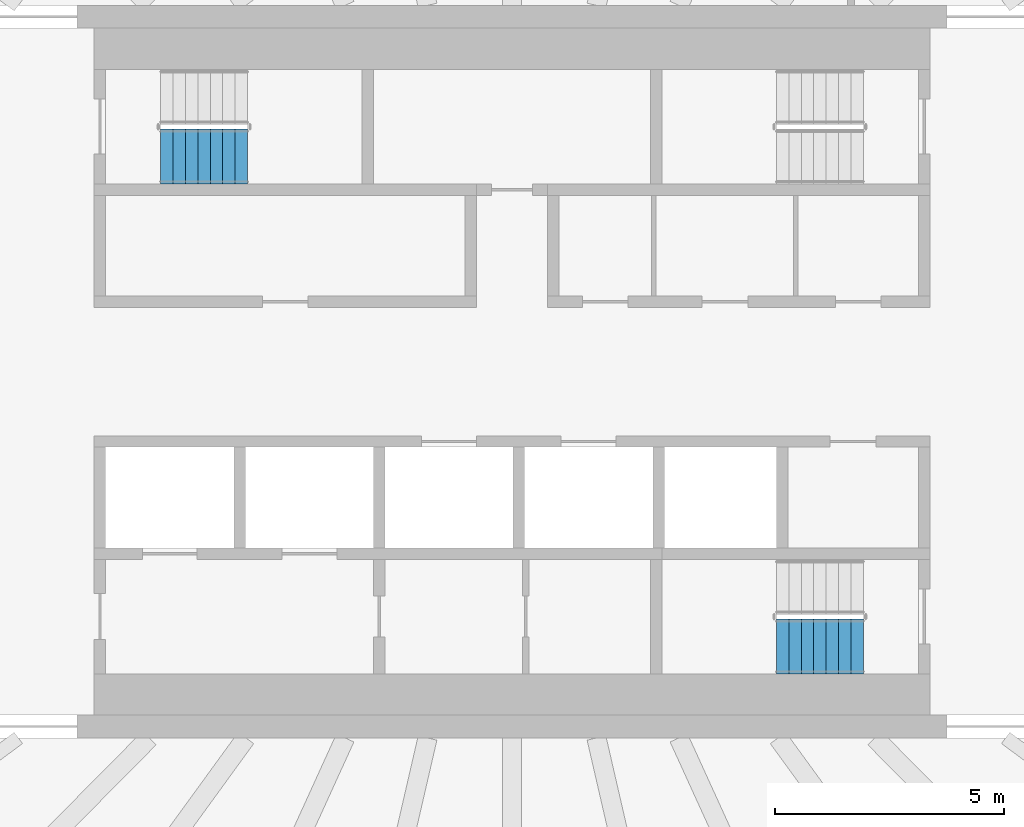
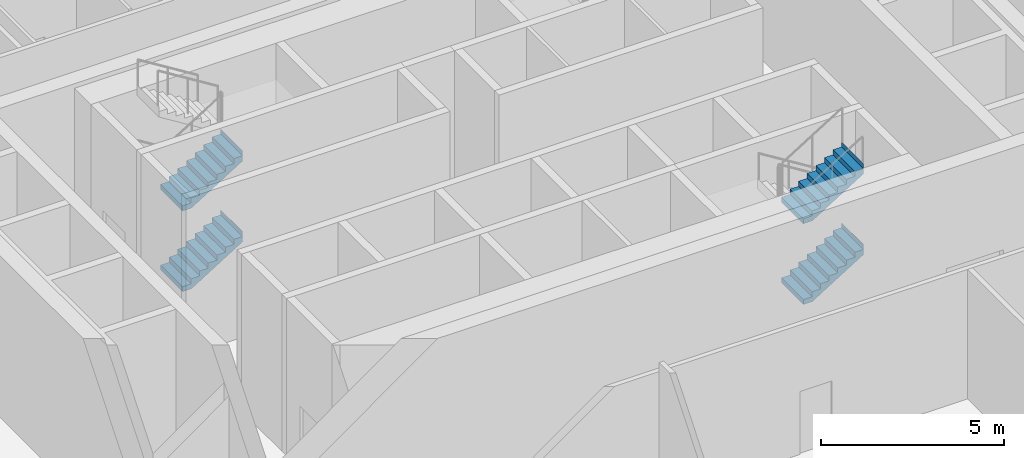
# One storey, part 9 of 18: 4 stair flights, 2 elements without a shape of their own.
"""IFC4 building model written with IfcOpenShell, lengths in metres."""

from ifc_helpers import new_model, si_unit, direction, frame, origin, place, context, subcontext, project, spatial, triangles, material, type_object, element, aggregate, save


model = new_model("IFC4")

# Units and contexts
model_context = context("Model", 3, precision=1e-05, world=origin(), true_north=direction((0.0, 1.0)))
body_context = subcontext(model_context, "Body", "Model", "MODEL_VIEW")
ifc_project = project(units=[si_unit("LENGTHUNIT", "METRE"), si_unit("AREAUNIT", "SQUARE_METRE"), si_unit("VOLUMEUNIT", "CUBIC_METRE"), si_unit("PLANEANGLEUNIT", "RADIAN"), si_unit("MASSUNIT", "GRAM", prefix="KILO")], contexts=[model_context])

# Site, building, storey
site_placement = place(None, origin())
site = spatial("IfcSite", under=ifc_project, at=site_placement, CompositionType="ELEMENT")
building_placement = place(site_placement, origin())
building = spatial("IfcBuilding", under=site, at=building_placement, Name="Sahrelin Media Tower", CompositionType="ELEMENT")
storey_placement = place(building_placement, frame((0.0, 0.0, 148.199951171875)))
storey = spatial("IfcBuildingStorey", under=building, at=storey_placement, Name="L30", CompositionType="ELEMENT", Elevation=148.199951171875)

# Stair, stair flights
ifc_material = material(Name="Concrete C40/50", Category="concrete")
stair_type = type_object("IfcStairType", Name="Exit stair 1200", PredefinedType="HALF_TURN_STAIR", material=ifc_material)
placement = place(storey_placement, origin())
stair_1 = element("IfcStair", 1, at=placement, inside=storey, type_object=stair_type, Name="L30 Exit stair ST1", PredefinedType="HALF_TURN_STAIR")
stair_flight_type = type_object("IfcStairFlightType", Name="Stair flight 1200", PredefinedType="STRAIGHT", material=ifc_material)
stair_flight_1_placement = place(storey_placement, frame((-7.675048828125, 4.699951171875, 0.0), z_axis=(0.0, 0.0, 1.0), x_axis=(1.0, 0.0, 0.0)))
stair_flight_1 = element("IfcStairFlight", 2, at=stair_flight_1_placement, type_object=stair_flight_type, Name="ST1 flight 1", NumberOfRisers=8, NumberOfTreads=7, PredefinedType="STRAIGHT", RiserHeight=0.16875, TreadLength=0.271428571, context=body_context, shape_type="Tessellation", body=[
    triangles([(0.283935546875, 0.60009765625, 0.0), (0.283935546875, 0.300048828125, 0.0), (0.283935546875, 0.0, 0.0), (0.283935546875, -0.300048828125, 0.0), (0.283935546875, -0.60009765625, 0.0), (1.89990234375, 0.60009765625, 1.004638671875), (1.89990234375, 0.300048828125, 1.004638671875), (1.89990234375, 0.0, 1.004638671875), (1.89990234375, -0.300048828125, 1.004638671875), (1.89990234375, -0.60009765625, 1.004638671875), (1.89990234375, 0.60009765625, 1.35009765625), (1.89990234375, 0.300048828125, 1.35009765625), (1.89990234375, 0.0, 1.35009765625), (1.89990234375, -0.300048828125, 1.35009765625), (1.89990234375, -0.60009765625, 1.35009765625), (1.89794921875, 0.60009765625, 1.35009765625), (1.89794921875, 0.300048828125, 1.35009765625), (1.89794921875, 0.0, 1.35009765625), (1.89794921875, -0.300048828125, 1.35009765625), (1.89794921875, -0.60009765625, 1.35009765625), (1.89794921875, 0.60009765625, 1.18115234375), (1.89794921875, 0.300048828125, 1.18115234375), (1.89794921875, 0.0, 1.18115234375), (1.89794921875, -0.300048828125, 1.18115234375), (1.89794921875, -0.60009765625, 1.18115234375), (1.628662109375, 0.60009765625, 1.18115234375), (1.628662109375, 0.300048828125, 1.18115234375), (1.628662109375, 0.0, 1.18115234375), (1.628662109375, -0.300048828125, 1.18115234375), (1.628662109375, -0.60009765625, 1.18115234375), (1.628662109375, 0.60009765625, 1.012451171875), (1.628662109375, 0.300048828125, 1.012451171875), (1.628662109375, 0.0, 1.012451171875), (1.628662109375, -0.300048828125, 1.012451171875), (1.628662109375, -0.60009765625, 1.012451171875), (1.357177734375, 0.60009765625, 1.012451171875), (1.357177734375, 0.300048828125, 1.012451171875), (1.357177734375, 0.0, 1.012451171875), (1.357177734375, -0.300048828125, 1.012451171875), (1.357177734375, -0.60009765625, 1.012451171875), (1.357177734375, 0.60009765625, 0.84375), (1.357177734375, 0.300048828125, 0.84375), (1.357177734375, 0.0, 0.84375), (1.357177734375, -0.300048828125, 0.84375), (1.357177734375, -0.60009765625, 0.84375), (1.085693359375, 0.60009765625, 0.84375), (1.085693359375, 0.300048828125, 0.84375), (1.085693359375, 0.0, 0.84375), (1.085693359375, -0.300048828125, 0.84375), (1.085693359375, -0.60009765625, 0.84375), (1.085693359375, 0.60009765625, 0.675048828125), (1.085693359375, 0.300048828125, 0.675048828125), (1.085693359375, 0.0, 0.675048828125), (1.085693359375, -0.300048828125, 0.675048828125), (1.085693359375, -0.60009765625, 0.675048828125), (0.814208984375, 0.60009765625, 0.675048828125), (0.814208984375, 0.300048828125, 0.675048828125), (0.814208984375, 0.0, 0.675048828125), (0.814208984375, -0.300048828125, 0.675048828125), (0.814208984375, -0.60009765625, 0.675048828125), (0.814208984375, 0.60009765625, 0.50634765625), (0.814208984375, 0.300048828125, 0.50634765625), (0.814208984375, 0.0, 0.50634765625), (0.814208984375, -0.300048828125, 0.50634765625), (0.814208984375, -0.60009765625, 0.50634765625), (0.54296875, 0.60009765625, 0.50634765625), (0.54296875, 0.300048828125, 0.50634765625), (0.54296875, 0.0, 0.50634765625), (0.54296875, -0.300048828125, 0.50634765625), (0.54296875, -0.60009765625, 0.50634765625), (0.54296875, 0.60009765625, 0.33740234375), (0.54296875, 0.300048828125, 0.33740234375), (0.54296875, 0.0, 0.33740234375), (0.54296875, -0.300048828125, 0.33740234375), (0.54296875, -0.60009765625, 0.33740234375), (0.271484375, 0.60009765625, 0.33740234375), (0.271484375, 0.300048828125, 0.33740234375), (0.271484375, 0.0, 0.33740234375), (0.271484375, -0.300048828125, 0.33740234375), (0.271484375, -0.60009765625, 0.33740234375), (0.271484375, 0.60009765625, 0.168701171875), (0.271484375, 0.300048828125, 0.168701171875), (0.271484375, 0.0, 0.168701171875), (0.271484375, -0.300048828125, 0.168701171875), (0.271484375, -0.60009765625, 0.168701171875), (0.0, 0.60009765625, 0.168701171875), (0.0, 0.300048828125, 0.168701171875), (0.0, 0.0, 0.168701171875), (0.0, -0.300048828125, 0.168701171875), (0.0, -0.60009765625, 0.168701171875), (0.0, 0.60009765625, 0.0), (0.0, 0.300048828125, 0.0), (0.0, 0.0, 0.0), (0.0, -0.300048828125, 0.0), (0.0, -0.60009765625, 0.0)], [[1, 6, 7], [1, 7, 2], [2, 7, 8], [2, 8, 3], [3, 8, 9], [3, 9, 4], [4, 9, 10], [4, 10, 5], [6, 11, 12], [6, 12, 7], [7, 12, 13], [7, 13, 8], [8, 13, 14], [8, 14, 9], [9, 14, 15], [9, 15, 10], [11, 16, 17], [11, 17, 12], [12, 17, 18], [12, 18, 13], [13, 18, 19], [13, 19, 14], [14, 19, 20], [14, 20, 15], [16, 21, 22], [16, 22, 17], [17, 22, 23], [17, 23, 18], [18, 23, 24], [18, 24, 19], [19, 24, 25], [19, 25, 20], [21, 26, 27], [21, 27, 22], [22, 27, 28], [22, 28, 23], [23, 28, 29], [23, 29, 24], [24, 29, 30], [24, 30, 25], [26, 31, 32], [26, 32, 27], [27, 32, 33], [27, 33, 28], [28, 33, 34], [28, 34, 29], [29, 34, 35], [29, 35, 30], [31, 36, 37], [31, 37, 32], [32, 37, 38], [32, 38, 33], [33, 38, 39], [33, 39, 34], [34, 39, 40], [34, 40, 35], [36, 41, 42], [36, 42, 37], [37, 42, 43], [37, 43, 38], [38, 43, 44], [38, 44, 39], [39, 44, 45], [39, 45, 40], [41, 46, 47], [41, 47, 42], [42, 47, 48], [42, 48, 43], [43, 48, 49], [43, 49, 44], [44, 49, 50], [44, 50, 45], [46, 51, 52], [46, 52, 47], [47, 52, 53], [47, 53, 48], [48, 53, 54], [48, 54, 49], [49, 54, 55], [49, 55, 50], [51, 56, 57], [51, 57, 52], [52, 57, 58], [52, 58, 53], [53, 58, 59], [53, 59, 54], [54, 59, 60], [54, 60, 55], [56, 61, 62], [56, 62, 57], [57, 62, 63], [57, 63, 58], [58, 63, 64], [58, 64, 59], [59, 64, 65], [59, 65, 60], [61, 66, 67], [61, 67, 62], [62, 67, 68], [62, 68, 63], [63, 68, 69], [63, 69, 64], [64, 69, 70], [64, 70, 65], [66, 71, 72], [66, 72, 67], [67, 72, 73], [67, 73, 68], [68, 73, 74], [68, 74, 69], [69, 74, 75], [69, 75, 70], [71, 76, 77], [71, 77, 72], [72, 77, 78], [72, 78, 73], [73, 78, 79], [73, 79, 74], [74, 79, 80], [74, 80, 75], [76, 81, 82], [76, 82, 77], [77, 82, 83], [77, 83, 78], [78, 83, 84], [78, 84, 79], [79, 84, 85], [79, 85, 80], [81, 86, 87], [81, 87, 82], [82, 87, 88], [82, 88, 83], [83, 88, 89], [83, 89, 84], [84, 89, 90], [84, 90, 85], [86, 91, 92], [86, 92, 87], [87, 92, 93], [87, 93, 88], [88, 93, 94], [88, 94, 89], [89, 94, 95], [89, 95, 90], [91, 1, 2], [91, 2, 92], [92, 2, 3], [92, 3, 93], [93, 3, 4], [93, 4, 94], [94, 4, 5], [94, 5, 95], [85, 90, 95], [81, 91, 86], [85, 75, 80], [81, 76, 71], [75, 65, 70], [71, 66, 61], [65, 55, 60], [61, 56, 51], [55, 45, 50], [51, 46, 41], [45, 35, 40], [41, 36, 31], [35, 25, 30], [31, 26, 21], [25, 15, 20], [21, 16, 11], [95, 5, 85], [91, 81, 1], [5, 55, 65], [1, 61, 51], [25, 10, 15], [21, 11, 6], [75, 85, 5], [71, 1, 81], [10, 45, 55], [6, 51, 41], [35, 10, 25], [31, 21, 6], [65, 75, 5], [61, 1, 71], [45, 10, 35], [41, 31, 6], [5, 10, 55], [1, 51, 6]], closed=True),
])
stair_flight_2_placement = place(storey_placement, frame((-7.675048828125, 4.699951171875, 2.699951171875), z_axis=(0.0, 0.0, 1.0), x_axis=(1.0, 0.0, 0.0)))
stair_flight_2 = element("IfcStairFlight", 3, at=stair_flight_2_placement, type_object=stair_flight_type, Name="ST1 flight 3", NumberOfRisers=8, NumberOfTreads=7, PredefinedType="STRAIGHT", RiserHeight=0.16875, TreadLength=0.271428571, context=body_context, shape_type="Tessellation", body=[
    triangles([(0.283935546875, 0.60009765625, 0.0), (0.283935546875, 0.300048828125, 0.0), (0.283935546875, 0.0, 0.0), (0.283935546875, -0.300048828125, 0.0), (0.283935546875, -0.60009765625, 0.0), (1.89990234375, 0.60009765625, 1.004638671875), (1.89990234375, 0.300048828125, 1.004638671875), (1.89990234375, 0.0, 1.004638671875), (1.89990234375, -0.300048828125, 1.004638671875), (1.89990234375, -0.60009765625, 1.004638671875), (1.89990234375, 0.60009765625, 1.35009765625), (1.89990234375, 0.300048828125, 1.35009765625), (1.89990234375, 0.0, 1.35009765625), (1.89990234375, -0.300048828125, 1.35009765625), (1.89990234375, -0.60009765625, 1.35009765625), (1.89794921875, 0.60009765625, 1.35009765625), (1.89794921875, 0.300048828125, 1.35009765625), (1.89794921875, 0.0, 1.35009765625), (1.89794921875, -0.300048828125, 1.35009765625), (1.89794921875, -0.60009765625, 1.35009765625), (1.89794921875, 0.60009765625, 1.18115234375), (1.89794921875, 0.300048828125, 1.18115234375), (1.89794921875, 0.0, 1.18115234375), (1.89794921875, -0.300048828125, 1.18115234375), (1.89794921875, -0.60009765625, 1.18115234375), (1.628662109375, 0.60009765625, 1.18115234375), (1.628662109375, 0.300048828125, 1.18115234375), (1.628662109375, 0.0, 1.18115234375), (1.628662109375, -0.300048828125, 1.18115234375), (1.628662109375, -0.60009765625, 1.18115234375), (1.628662109375, 0.60009765625, 1.012451171875), (1.628662109375, 0.300048828125, 1.012451171875), (1.628662109375, 0.0, 1.012451171875), (1.628662109375, -0.300048828125, 1.012451171875), (1.628662109375, -0.60009765625, 1.012451171875), (1.357177734375, 0.60009765625, 1.012451171875), (1.357177734375, 0.300048828125, 1.012451171875), (1.357177734375, 0.0, 1.012451171875), (1.357177734375, -0.300048828125, 1.012451171875), (1.357177734375, -0.60009765625, 1.012451171875), (1.357177734375, 0.60009765625, 0.84375), (1.357177734375, 0.300048828125, 0.84375), (1.357177734375, 0.0, 0.84375), (1.357177734375, -0.300048828125, 0.84375), (1.357177734375, -0.60009765625, 0.84375), (1.085693359375, 0.60009765625, 0.84375), (1.085693359375, 0.300048828125, 0.84375), (1.085693359375, 0.0, 0.84375), (1.085693359375, -0.300048828125, 0.84375), (1.085693359375, -0.60009765625, 0.84375), (1.085693359375, 0.60009765625, 0.675048828125), (1.085693359375, 0.300048828125, 0.675048828125), (1.085693359375, 0.0, 0.675048828125), (1.085693359375, -0.300048828125, 0.675048828125), (1.085693359375, -0.60009765625, 0.675048828125), (0.814208984375, 0.60009765625, 0.675048828125), (0.814208984375, 0.300048828125, 0.675048828125), (0.814208984375, 0.0, 0.675048828125), (0.814208984375, -0.300048828125, 0.675048828125), (0.814208984375, -0.60009765625, 0.675048828125), (0.814208984375, 0.60009765625, 0.50634765625), (0.814208984375, 0.300048828125, 0.50634765625), (0.814208984375, 0.0, 0.50634765625), (0.814208984375, -0.300048828125, 0.50634765625), (0.814208984375, -0.60009765625, 0.50634765625), (0.54296875, 0.60009765625, 0.50634765625), (0.54296875, 0.300048828125, 0.50634765625), (0.54296875, 0.0, 0.50634765625), (0.54296875, -0.300048828125, 0.50634765625), (0.54296875, -0.60009765625, 0.50634765625), (0.54296875, 0.60009765625, 0.33740234375), (0.54296875, 0.300048828125, 0.33740234375), (0.54296875, 0.0, 0.33740234375), (0.54296875, -0.300048828125, 0.33740234375), (0.54296875, -0.60009765625, 0.33740234375), (0.271484375, 0.60009765625, 0.33740234375), (0.271484375, 0.300048828125, 0.33740234375), (0.271484375, 0.0, 0.33740234375), (0.271484375, -0.300048828125, 0.33740234375), (0.271484375, -0.60009765625, 0.33740234375), (0.271484375, 0.60009765625, 0.168701171875), (0.271484375, 0.300048828125, 0.168701171875), (0.271484375, 0.0, 0.168701171875), (0.271484375, -0.300048828125, 0.168701171875), (0.271484375, -0.60009765625, 0.168701171875), (0.0, 0.60009765625, 0.168701171875), (0.0, 0.300048828125, 0.168701171875), (0.0, 0.0, 0.168701171875), (0.0, -0.300048828125, 0.168701171875), (0.0, -0.60009765625, 0.168701171875), (0.0, 0.60009765625, 0.0), (0.0, 0.300048828125, 0.0), (0.0, 0.0, 0.0), (0.0, -0.300048828125, 0.0), (0.0, -0.60009765625, 0.0)], [[1, 6, 7], [1, 7, 2], [2, 7, 8], [2, 8, 3], [3, 8, 9], [3, 9, 4], [4, 9, 10], [4, 10, 5], [6, 11, 12], [6, 12, 7], [7, 12, 13], [7, 13, 8], [8, 13, 14], [8, 14, 9], [9, 14, 15], [9, 15, 10], [11, 16, 17], [11, 17, 12], [12, 17, 18], [12, 18, 13], [13, 18, 19], [13, 19, 14], [14, 19, 20], [14, 20, 15], [16, 21, 22], [16, 22, 17], [17, 22, 23], [17, 23, 18], [18, 23, 24], [18, 24, 19], [19, 24, 25], [19, 25, 20], [21, 26, 27], [21, 27, 22], [22, 27, 28], [22, 28, 23], [23, 28, 29], [23, 29, 24], [24, 29, 30], [24, 30, 25], [26, 31, 32], [26, 32, 27], [27, 32, 33], [27, 33, 28], [28, 33, 34], [28, 34, 29], [29, 34, 35], [29, 35, 30], [31, 36, 37], [31, 37, 32], [32, 37, 38], [32, 38, 33], [33, 38, 39], [33, 39, 34], [34, 39, 40], [34, 40, 35], [36, 41, 42], [36, 42, 37], [37, 42, 43], [37, 43, 38], [38, 43, 44], [38, 44, 39], [39, 44, 45], [39, 45, 40], [41, 46, 47], [41, 47, 42], [42, 47, 48], [42, 48, 43], [43, 48, 49], [43, 49, 44], [44, 49, 50], [44, 50, 45], [46, 51, 52], [46, 52, 47], [47, 52, 53], [47, 53, 48], [48, 53, 54], [48, 54, 49], [49, 54, 55], [49, 55, 50], [51, 56, 57], [51, 57, 52], [52, 57, 58], [52, 58, 53], [53, 58, 59], [53, 59, 54], [54, 59, 60], [54, 60, 55], [56, 61, 62], [56, 62, 57], [57, 62, 63], [57, 63, 58], [58, 63, 64], [58, 64, 59], [59, 64, 65], [59, 65, 60], [61, 66, 67], [61, 67, 62], [62, 67, 68], [62, 68, 63], [63, 68, 69], [63, 69, 64], [64, 69, 70], [64, 70, 65], [66, 71, 72], [66, 72, 67], [67, 72, 73], [67, 73, 68], [68, 73, 74], [68, 74, 69], [69, 74, 75], [69, 75, 70], [71, 76, 77], [71, 77, 72], [72, 77, 78], [72, 78, 73], [73, 78, 79], [73, 79, 74], [74, 79, 80], [74, 80, 75], [76, 81, 82], [76, 82, 77], [77, 82, 83], [77, 83, 78], [78, 83, 84], [78, 84, 79], [79, 84, 85], [79, 85, 80], [81, 86, 87], [81, 87, 82], [82, 87, 88], [82, 88, 83], [83, 88, 89], [83, 89, 84], [84, 89, 90], [84, 90, 85], [86, 91, 92], [86, 92, 87], [87, 92, 93], [87, 93, 88], [88, 93, 94], [88, 94, 89], [89, 94, 95], [89, 95, 90], [91, 1, 2], [91, 2, 92], [92, 2, 3], [92, 3, 93], [93, 3, 4], [93, 4, 94], [94, 4, 5], [94, 5, 95], [85, 90, 95], [81, 91, 86], [85, 75, 80], [81, 76, 71], [75, 65, 70], [71, 66, 61], [65, 55, 60], [61, 56, 51], [55, 45, 50], [51, 46, 41], [45, 35, 40], [41, 36, 31], [35, 25, 30], [31, 26, 21], [25, 15, 20], [21, 16, 11], [95, 5, 85], [91, 81, 1], [5, 55, 65], [1, 61, 51], [25, 10, 15], [21, 11, 6], [75, 85, 5], [71, 1, 81], [10, 45, 55], [6, 51, 41], [35, 10, 25], [31, 21, 6], [65, 75, 5], [61, 1, 71], [45, 10, 35], [41, 31, 6], [5, 10, 55], [1, 51, 6]], closed=True),
])
aggregate(stair_1, [stair_flight_1, stair_flight_2])

stair_2 = element("IfcStair", 4, at=placement, inside=storey, type_object=stair_type, Name="L30 Exit stair ST2", PredefinedType="HALF_TURN_STAIR")
stair_flight_3_placement = place(storey_placement, frame((5.77490234375, -6.0, 1.35009765625), z_axis=(0.0, 0.0, 1.0), x_axis=(1.0, 0.0, 0.0)))
stair_flight_3 = element("IfcStairFlight", 5, at=stair_flight_3_placement, type_object=stair_flight_type, Name="ST2 flight 2", NumberOfRisers=8, NumberOfTreads=7, PredefinedType="STRAIGHT", RiserHeight=0.16875, TreadLength=0.271428571, context=body_context, shape_type="Tessellation", body=[
    triangles([(0.283935546875, 0.60009765625, 0.0), (0.283935546875, 0.300048828125, 0.0), (0.283935546875, 0.0, 0.0), (0.283935546875, -0.300048828125, 0.0), (0.283935546875, -0.60009765625, 0.0), (1.89990234375, 0.60009765625, 1.004638671875), (1.89990234375, 0.300048828125, 1.004638671875), (1.89990234375, 0.0, 1.004638671875), (1.89990234375, -0.300048828125, 1.004638671875), (1.89990234375, -0.60009765625, 1.004638671875), (1.89990234375, 0.60009765625, 1.35009765625), (1.89990234375, 0.300048828125, 1.35009765625), (1.89990234375, 0.0, 1.35009765625), (1.89990234375, -0.300048828125, 1.35009765625), (1.89990234375, -0.60009765625, 1.35009765625), (1.89794921875, 0.60009765625, 1.35009765625), (1.89794921875, 0.300048828125, 1.35009765625), (1.89794921875, 0.0, 1.35009765625), (1.89794921875, -0.300048828125, 1.35009765625), (1.89794921875, -0.60009765625, 1.35009765625), (1.89794921875, 0.60009765625, 1.18115234375), (1.89794921875, 0.300048828125, 1.18115234375), (1.89794921875, 0.0, 1.18115234375), (1.89794921875, -0.300048828125, 1.18115234375), (1.89794921875, -0.60009765625, 1.18115234375), (1.628662109375, 0.60009765625, 1.18115234375), (1.628662109375, 0.300048828125, 1.18115234375), (1.628662109375, 0.0, 1.18115234375), (1.628662109375, -0.300048828125, 1.18115234375), (1.628662109375, -0.60009765625, 1.18115234375), (1.628662109375, 0.60009765625, 1.012451171875), (1.628662109375, 0.300048828125, 1.012451171875), (1.628662109375, 0.0, 1.012451171875), (1.628662109375, -0.300048828125, 1.012451171875), (1.628662109375, -0.60009765625, 1.012451171875), (1.357177734375, 0.60009765625, 1.012451171875), (1.357177734375, 0.300048828125, 1.012451171875), (1.357177734375, 0.0, 1.012451171875), (1.357177734375, -0.300048828125, 1.012451171875), (1.357177734375, -0.60009765625, 1.012451171875), (1.357177734375, 0.60009765625, 0.84375), (1.357177734375, 0.300048828125, 0.84375), (1.357177734375, 0.0, 0.84375), (1.357177734375, -0.300048828125, 0.84375), (1.357177734375, -0.60009765625, 0.84375), (1.085693359375, 0.60009765625, 0.84375), (1.085693359375, 0.300048828125, 0.84375), (1.085693359375, 0.0, 0.84375), (1.085693359375, -0.300048828125, 0.84375), (1.085693359375, -0.60009765625, 0.84375), (1.085693359375, 0.60009765625, 0.675048828125), (1.085693359375, 0.300048828125, 0.675048828125), (1.085693359375, 0.0, 0.675048828125), (1.085693359375, -0.300048828125, 0.675048828125), (1.085693359375, -0.60009765625, 0.675048828125), (0.814208984375, 0.60009765625, 0.675048828125), (0.814208984375, 0.300048828125, 0.675048828125), (0.814208984375, 0.0, 0.675048828125), (0.814208984375, -0.300048828125, 0.675048828125), (0.814208984375, -0.60009765625, 0.675048828125), (0.814208984375, 0.60009765625, 0.50634765625), (0.814208984375, 0.300048828125, 0.50634765625), (0.814208984375, 0.0, 0.50634765625), (0.814208984375, -0.300048828125, 0.50634765625), (0.814208984375, -0.60009765625, 0.50634765625), (0.54296875, 0.60009765625, 0.50634765625), (0.54296875, 0.300048828125, 0.50634765625), (0.54296875, 0.0, 0.50634765625), (0.54296875, -0.300048828125, 0.50634765625), (0.54296875, -0.60009765625, 0.50634765625), (0.54296875, 0.60009765625, 0.33740234375), (0.54296875, 0.300048828125, 0.33740234375), (0.54296875, 0.0, 0.33740234375), (0.54296875, -0.300048828125, 0.33740234375), (0.54296875, -0.60009765625, 0.33740234375), (0.271484375, 0.60009765625, 0.33740234375), (0.271484375, 0.300048828125, 0.33740234375), (0.271484375, 0.0, 0.33740234375), (0.271484375, -0.300048828125, 0.33740234375), (0.271484375, -0.60009765625, 0.33740234375), (0.271484375, 0.60009765625, 0.168701171875), (0.271484375, 0.300048828125, 0.168701171875), (0.271484375, 0.0, 0.168701171875), (0.271484375, -0.300048828125, 0.168701171875), (0.271484375, -0.60009765625, 0.168701171875), (0.0, 0.60009765625, 0.168701171875), (0.0, 0.300048828125, 0.168701171875), (0.0, 0.0, 0.168701171875), (0.0, -0.300048828125, 0.168701171875), (0.0, -0.60009765625, 0.168701171875), (0.0, 0.60009765625, 0.0), (0.0, 0.300048828125, 0.0), (0.0, 0.0, 0.0), (0.0, -0.300048828125, 0.0), (0.0, -0.60009765625, 0.0)], [[1, 6, 7], [1, 7, 2], [2, 7, 8], [2, 8, 3], [3, 8, 9], [3, 9, 4], [4, 9, 10], [4, 10, 5], [6, 11, 12], [6, 12, 7], [7, 12, 13], [7, 13, 8], [8, 13, 14], [8, 14, 9], [9, 14, 15], [9, 15, 10], [11, 16, 17], [11, 17, 12], [12, 17, 18], [12, 18, 13], [13, 18, 19], [13, 19, 14], [14, 19, 20], [14, 20, 15], [16, 21, 22], [16, 22, 17], [17, 22, 23], [17, 23, 18], [18, 23, 24], [18, 24, 19], [19, 24, 25], [19, 25, 20], [21, 26, 27], [21, 27, 22], [22, 27, 28], [22, 28, 23], [23, 28, 29], [23, 29, 24], [24, 29, 30], [24, 30, 25], [26, 31, 32], [26, 32, 27], [27, 32, 33], [27, 33, 28], [28, 33, 34], [28, 34, 29], [29, 34, 35], [29, 35, 30], [31, 36, 37], [31, 37, 32], [32, 37, 38], [32, 38, 33], [33, 38, 39], [33, 39, 34], [34, 39, 40], [34, 40, 35], [36, 41, 42], [36, 42, 37], [37, 42, 43], [37, 43, 38], [38, 43, 44], [38, 44, 39], [39, 44, 45], [39, 45, 40], [41, 46, 47], [41, 47, 42], [42, 47, 48], [42, 48, 43], [43, 48, 49], [43, 49, 44], [44, 49, 50], [44, 50, 45], [46, 51, 52], [46, 52, 47], [47, 52, 53], [47, 53, 48], [48, 53, 54], [48, 54, 49], [49, 54, 55], [49, 55, 50], [51, 56, 57], [51, 57, 52], [52, 57, 58], [52, 58, 53], [53, 58, 59], [53, 59, 54], [54, 59, 60], [54, 60, 55], [56, 61, 62], [56, 62, 57], [57, 62, 63], [57, 63, 58], [58, 63, 64], [58, 64, 59], [59, 64, 65], [59, 65, 60], [61, 66, 67], [61, 67, 62], [62, 67, 68], [62, 68, 63], [63, 68, 69], [63, 69, 64], [64, 69, 70], [64, 70, 65], [66, 71, 72], [66, 72, 67], [67, 72, 73], [67, 73, 68], [68, 73, 74], [68, 74, 69], [69, 74, 75], [69, 75, 70], [71, 76, 77], [71, 77, 72], [72, 77, 78], [72, 78, 73], [73, 78, 79], [73, 79, 74], [74, 79, 80], [74, 80, 75], [76, 81, 82], [76, 82, 77], [77, 82, 83], [77, 83, 78], [78, 83, 84], [78, 84, 79], [79, 84, 85], [79, 85, 80], [81, 86, 87], [81, 87, 82], [82, 87, 88], [82, 88, 83], [83, 88, 89], [83, 89, 84], [84, 89, 90], [84, 90, 85], [86, 91, 92], [86, 92, 87], [87, 92, 93], [87, 93, 88], [88, 93, 94], [88, 94, 89], [89, 94, 95], [89, 95, 90], [91, 1, 2], [91, 2, 92], [92, 2, 3], [92, 3, 93], [93, 3, 4], [93, 4, 94], [94, 4, 5], [94, 5, 95], [85, 90, 95], [81, 91, 86], [85, 75, 80], [81, 76, 71], [75, 65, 70], [71, 66, 61], [65, 55, 60], [61, 56, 51], [55, 45, 50], [51, 46, 41], [45, 35, 40], [41, 36, 31], [35, 25, 30], [31, 26, 21], [25, 15, 20], [21, 16, 11], [95, 5, 85], [91, 81, 1], [5, 55, 65], [1, 61, 51], [25, 10, 15], [21, 11, 6], [75, 85, 5], [71, 1, 81], [10, 45, 55], [6, 51, 41], [35, 10, 25], [31, 21, 6], [65, 75, 5], [61, 1, 71], [45, 10, 35], [41, 31, 6], [5, 10, 55], [1, 51, 6]], closed=True),
])
stair_flight_4_placement = place(storey_placement, frame((5.77490234375, -6.0, 4.050048828125), z_axis=(0.0, 0.0, 1.0), x_axis=(1.0, 0.0, 0.0)))
stair_flight_4 = element("IfcStairFlight", 6, at=stair_flight_4_placement, type_object=stair_flight_type, Name="ST2 flight 4", NumberOfRisers=8, NumberOfTreads=7, PredefinedType="STRAIGHT", RiserHeight=0.16875, TreadLength=0.271428571, context=body_context, shape_type="Tessellation", body=[
    triangles([(0.283935546875, 0.60009765625, 0.0), (0.283935546875, 0.300048828125, 0.0), (0.283935546875, 0.0, 0.0), (0.283935546875, -0.300048828125, 0.0), (0.283935546875, -0.60009765625, 0.0), (1.89990234375, 0.60009765625, 1.004638671875), (1.89990234375, 0.300048828125, 1.004638671875), (1.89990234375, 0.0, 1.004638671875), (1.89990234375, -0.300048828125, 1.004638671875), (1.89990234375, -0.60009765625, 1.004638671875), (1.89990234375, 0.60009765625, 1.35009765625), (1.89990234375, 0.300048828125, 1.35009765625), (1.89990234375, 0.0, 1.35009765625), (1.89990234375, -0.300048828125, 1.35009765625), (1.89990234375, -0.60009765625, 1.35009765625), (1.89794921875, 0.60009765625, 1.35009765625), (1.89794921875, 0.300048828125, 1.35009765625), (1.89794921875, 0.0, 1.35009765625), (1.89794921875, -0.300048828125, 1.35009765625), (1.89794921875, -0.60009765625, 1.35009765625), (1.89794921875, 0.60009765625, 1.18115234375), (1.89794921875, 0.300048828125, 1.18115234375), (1.89794921875, 0.0, 1.18115234375), (1.89794921875, -0.300048828125, 1.18115234375), (1.89794921875, -0.60009765625, 1.18115234375), (1.628662109375, 0.60009765625, 1.18115234375), (1.628662109375, 0.300048828125, 1.18115234375), (1.628662109375, 0.0, 1.18115234375), (1.628662109375, -0.300048828125, 1.18115234375), (1.628662109375, -0.60009765625, 1.18115234375), (1.628662109375, 0.60009765625, 1.012451171875), (1.628662109375, 0.300048828125, 1.012451171875), (1.628662109375, 0.0, 1.012451171875), (1.628662109375, -0.300048828125, 1.012451171875), (1.628662109375, -0.60009765625, 1.012451171875), (1.357177734375, 0.60009765625, 1.012451171875), (1.357177734375, 0.300048828125, 1.012451171875), (1.357177734375, 0.0, 1.012451171875), (1.357177734375, -0.300048828125, 1.012451171875), (1.357177734375, -0.60009765625, 1.012451171875), (1.357177734375, 0.60009765625, 0.84375), (1.357177734375, 0.300048828125, 0.84375), (1.357177734375, 0.0, 0.84375), (1.357177734375, -0.300048828125, 0.84375), (1.357177734375, -0.60009765625, 0.84375), (1.085693359375, 0.60009765625, 0.84375), (1.085693359375, 0.300048828125, 0.84375), (1.085693359375, 0.0, 0.84375), (1.085693359375, -0.300048828125, 0.84375), (1.085693359375, -0.60009765625, 0.84375), (1.085693359375, 0.60009765625, 0.675048828125), (1.085693359375, 0.300048828125, 0.675048828125), (1.085693359375, 0.0, 0.675048828125), (1.085693359375, -0.300048828125, 0.675048828125), (1.085693359375, -0.60009765625, 0.675048828125), (0.814208984375, 0.60009765625, 0.675048828125), (0.814208984375, 0.300048828125, 0.675048828125), (0.814208984375, 0.0, 0.675048828125), (0.814208984375, -0.300048828125, 0.675048828125), (0.814208984375, -0.60009765625, 0.675048828125), (0.814208984375, 0.60009765625, 0.50634765625), (0.814208984375, 0.300048828125, 0.50634765625), (0.814208984375, 0.0, 0.50634765625), (0.814208984375, -0.300048828125, 0.50634765625), (0.814208984375, -0.60009765625, 0.50634765625), (0.54296875, 0.60009765625, 0.50634765625), (0.54296875, 0.300048828125, 0.50634765625), (0.54296875, 0.0, 0.50634765625), (0.54296875, -0.300048828125, 0.50634765625), (0.54296875, -0.60009765625, 0.50634765625), (0.54296875, 0.60009765625, 0.33740234375), (0.54296875, 0.300048828125, 0.33740234375), (0.54296875, 0.0, 0.33740234375), (0.54296875, -0.300048828125, 0.33740234375), (0.54296875, -0.60009765625, 0.33740234375), (0.271484375, 0.60009765625, 0.33740234375), (0.271484375, 0.300048828125, 0.33740234375), (0.271484375, 0.0, 0.33740234375), (0.271484375, -0.300048828125, 0.33740234375), (0.271484375, -0.60009765625, 0.33740234375), (0.271484375, 0.60009765625, 0.168701171875), (0.271484375, 0.300048828125, 0.168701171875), (0.271484375, 0.0, 0.168701171875), (0.271484375, -0.300048828125, 0.168701171875), (0.271484375, -0.60009765625, 0.168701171875), (0.0, 0.60009765625, 0.168701171875), (0.0, 0.300048828125, 0.168701171875), (0.0, 0.0, 0.168701171875), (0.0, -0.300048828125, 0.168701171875), (0.0, -0.60009765625, 0.168701171875), (0.0, 0.60009765625, 0.0), (0.0, 0.300048828125, 0.0), (0.0, 0.0, 0.0), (0.0, -0.300048828125, 0.0), (0.0, -0.60009765625, 0.0)], [[1, 6, 7], [1, 7, 2], [2, 7, 8], [2, 8, 3], [3, 8, 9], [3, 9, 4], [4, 9, 10], [4, 10, 5], [6, 11, 12], [6, 12, 7], [7, 12, 13], [7, 13, 8], [8, 13, 14], [8, 14, 9], [9, 14, 15], [9, 15, 10], [11, 16, 17], [11, 17, 12], [12, 17, 18], [12, 18, 13], [13, 18, 19], [13, 19, 14], [14, 19, 20], [14, 20, 15], [16, 21, 22], [16, 22, 17], [17, 22, 23], [17, 23, 18], [18, 23, 24], [18, 24, 19], [19, 24, 25], [19, 25, 20], [21, 26, 27], [21, 27, 22], [22, 27, 28], [22, 28, 23], [23, 28, 29], [23, 29, 24], [24, 29, 30], [24, 30, 25], [26, 31, 32], [26, 32, 27], [27, 32, 33], [27, 33, 28], [28, 33, 34], [28, 34, 29], [29, 34, 35], [29, 35, 30], [31, 36, 37], [31, 37, 32], [32, 37, 38], [32, 38, 33], [33, 38, 39], [33, 39, 34], [34, 39, 40], [34, 40, 35], [36, 41, 42], [36, 42, 37], [37, 42, 43], [37, 43, 38], [38, 43, 44], [38, 44, 39], [39, 44, 45], [39, 45, 40], [41, 46, 47], [41, 47, 42], [42, 47, 48], [42, 48, 43], [43, 48, 49], [43, 49, 44], [44, 49, 50], [44, 50, 45], [46, 51, 52], [46, 52, 47], [47, 52, 53], [47, 53, 48], [48, 53, 54], [48, 54, 49], [49, 54, 55], [49, 55, 50], [51, 56, 57], [51, 57, 52], [52, 57, 58], [52, 58, 53], [53, 58, 59], [53, 59, 54], [54, 59, 60], [54, 60, 55], [56, 61, 62], [56, 62, 57], [57, 62, 63], [57, 63, 58], [58, 63, 64], [58, 64, 59], [59, 64, 65], [59, 65, 60], [61, 66, 67], [61, 67, 62], [62, 67, 68], [62, 68, 63], [63, 68, 69], [63, 69, 64], [64, 69, 70], [64, 70, 65], [66, 71, 72], [66, 72, 67], [67, 72, 73], [67, 73, 68], [68, 73, 74], [68, 74, 69], [69, 74, 75], [69, 75, 70], [71, 76, 77], [71, 77, 72], [72, 77, 78], [72, 78, 73], [73, 78, 79], [73, 79, 74], [74, 79, 80], [74, 80, 75], [76, 81, 82], [76, 82, 77], [77, 82, 83], [77, 83, 78], [78, 83, 84], [78, 84, 79], [79, 84, 85], [79, 85, 80], [81, 86, 87], [81, 87, 82], [82, 87, 88], [82, 88, 83], [83, 88, 89], [83, 89, 84], [84, 89, 90], [84, 90, 85], [86, 91, 92], [86, 92, 87], [87, 92, 93], [87, 93, 88], [88, 93, 94], [88, 94, 89], [89, 94, 95], [89, 95, 90], [91, 1, 2], [91, 2, 92], [92, 2, 3], [92, 3, 93], [93, 3, 4], [93, 4, 94], [94, 4, 5], [94, 5, 95], [85, 90, 95], [81, 91, 86], [85, 75, 80], [81, 76, 71], [75, 65, 70], [71, 66, 61], [65, 55, 60], [61, 56, 51], [55, 45, 50], [51, 46, 41], [45, 35, 40], [41, 36, 31], [35, 25, 30], [31, 26, 21], [25, 15, 20], [21, 16, 11], [95, 5, 85], [91, 81, 1], [5, 55, 65], [1, 61, 51], [25, 10, 15], [21, 11, 6], [75, 85, 5], [71, 1, 81], [10, 45, 55], [6, 51, 41], [35, 10, 25], [31, 21, 6], [65, 75, 5], [61, 1, 71], [45, 10, 35], [41, 31, 6], [5, 10, 55], [1, 51, 6]], closed=True),
])
aggregate(stair_2, [stair_flight_3, stair_flight_4])

save(model, "model.ifc")
